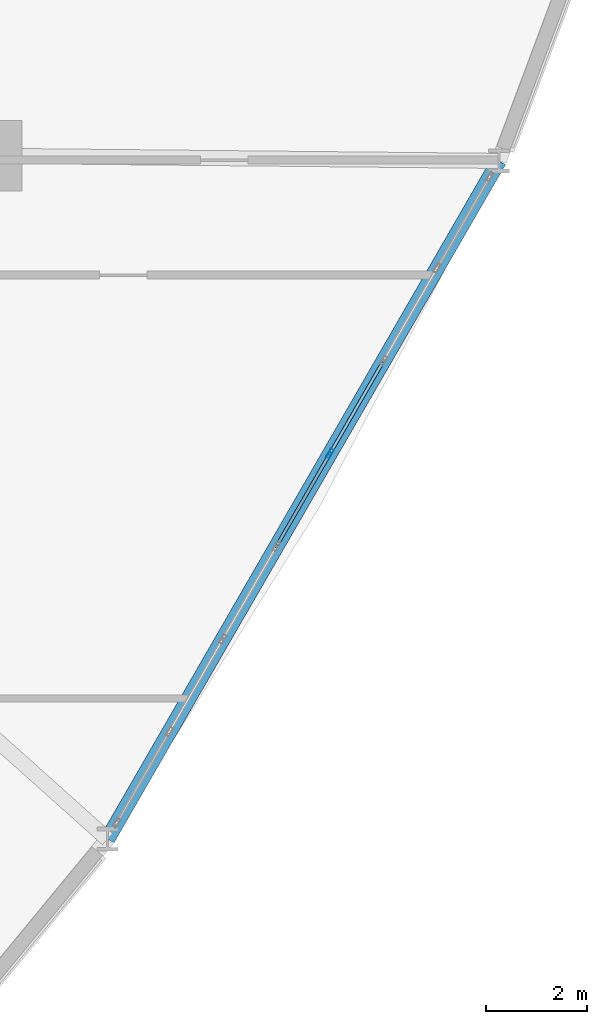
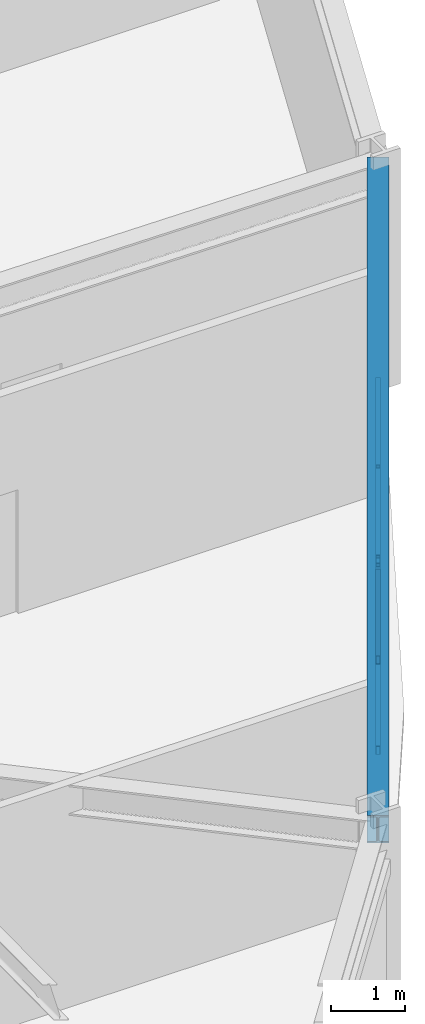
# One storey, part 8 of 22: 6 members, 1 beam, 1 element without a shape of its own.
"""IFC4 building model written with IfcOpenShell, lengths in metres."""

from ifc_helpers import new_model, si_unit, derived_unit, direction, frame, origin, origin_2d, place, context, subcontext, project, spatial, hollow_rectangle, i_section, extrude, source, transform, mapped, material, layer, layer_set, material_profile, profile_set, type_object, element, aggregate, save


model = new_model("IFC4")

# Units and contexts
model_context = context("Model", 3, precision=1e-05, world=origin(), true_north=direction((0.0, 1.0)))
body_context = subcontext(model_context, "Body", "Model", "MODEL_VIEW")
ifc_project = project(units=[si_unit("LENGTHUNIT", "METRE"), si_unit("AREAUNIT", "SQUARE_METRE"), si_unit("VOLUMEUNIT", "CUBIC_METRE"), si_unit("PLANEANGLEUNIT", "RADIAN"), si_unit("MASSUNIT", "GRAM", prefix="KILO"), derived_unit("THERMALTRANSMITTANCEUNIT", [(si_unit("POWERUNIT", "WATT"), 1), (si_unit("LENGTHUNIT", "METRE"), -2), (si_unit("THERMODYNAMICTEMPERATUREUNIT", "KELVIN"), -1)])], contexts=[model_context])

# Site, building, storey
site_placement = place(None, origin())
site = spatial("IfcSite", under=ifc_project, at=site_placement, CompositionType="ELEMENT")
building_placement = place(site_placement, origin())
building = spatial("IfcBuilding", under=site, at=building_placement, Name="Korsvarv Bourse and Concert Hall", CompositionType="ELEMENT")
storey_placement = place(building_placement, frame((0.0, 0.0, 47.39990234375)))
storey = spatial("IfcBuildingStorey", under=building, at=storey_placement, Name="L11", CompositionType="ELEMENT", Elevation=47.39990234375)

# Beam
ifc_material_1 = material(Name="Steel S355", Category="steel")
ifc_material_profile_1 = material_profile(ifc_material_1, i_section(OverallWidth=0.300048828125, OverallDepth=0.449951171875, WebThickness=0.013916015625, FlangeThickness=0.02587890625, FilletRadius=0.02099609375, at=origin_2d()), Name="HEB 450")
ifc_profile_set_1 = profile_set([ifc_material_profile_1], Name="Steel S355")
beam_type = type_object("IfcBeamType", Name="BM-HEB450", PredefinedType="SPANDREL", material=ifc_profile_set_1)
shared_shape_1 = source(origin(), body_context, "Body", "SweptSolid", [
    extrude(i_section(OverallWidth=0.300048828125, OverallDepth=0.449951171875, WebThickness=0.013916015625, FlangeThickness=0.02587890625, FilletRadius=0.02099609375, at=origin_2d()), origin(), (0.0, 0.0, 1.0), 15.569580078125),
])
beam_placement = place(storey_placement, frame((50.198486328125, 18.8134765625, 3.455078125), z_axis=(0.499994378262, 0.866028649472, 0.0), x_axis=(-0.866028649472, 0.499994378262, 0.0)))
element("IfcBeam", 1, at=beam_placement, inside=storey, type_object=beam_type, Name="L11 beam B-08", PredefinedType="SPANDREL", context=body_context, shape_type="MappedRepresentation", body=[
    mapped(shared_shape_1, transform((0.0, 0.0, 0.0), scale=1.0)),
])

# Curtain wall, members
ifc_material_2 = material(Name="Anodised aluminium and triple low-E glazing", Category="glass")
ifc_layer = layer(ifc_material_2, 0.219970703125)
ifc_layer_set = layer_set([ifc_layer], Name="Anodised aluminium and triple low-E glazing")
curtain_wall_type = type_object("IfcCurtainWallType", Name="CW-SYS-1", PredefinedType="NOTDEFINED", material=ifc_layer_set)
curtain_wall_placement = place(storey_placement, origin())
curtain_wall = element("IfcCurtainWall", 2, at=curtain_wall_placement, inside=storey, type_object=curtain_wall_type, Name="L11 CW1 curtain wall CW-L11-F11", PredefinedType="NOTDEFINED")
ifc_material_3 = material(Name="Extruded aluminium EN AW-6063 T66", Category="aluminium")
ifc_material_profile_2 = material_profile(ifc_material_3, hollow_rectangle(XDim=0.070068359375, YDim=0.18994140625, WallThickness=0.0048828125, at=origin_2d()), Name="ALU-M 70x190")
ifc_profile_set_2 = profile_set([ifc_material_profile_2], Name="Extruded aluminium EN AW-6063 T66")
member_type_1 = type_object("IfcMemberType", Name="CWM-190", PredefinedType="MULLION", material=ifc_profile_set_2)
shared_shape_2 = source(origin(), body_context, "Body", "SweptSolid", [
    extrude(hollow_rectangle(XDim=0.070068359375, YDim=0.18994140625, WallThickness=0.0048828125, at=origin_2d()), origin(), (0.0, 0.0, 1.0), 3.22998046875),
])
member_1_placement = place(storey_placement, frame((54.623291015625, 26.477294921875, 0.0), z_axis=(0.0, 0.0, 1.0), x_axis=(-0.866025499647, 0.499999833962, 0.0)))
member_1 = element("IfcMember", 3, at=member_1_placement, type_object=member_type_1, Name="CW1 mullion 5", PredefinedType="MULLION", context=body_context, shape_type="MappedRepresentation", body=[
    mapped(shared_shape_2, transform((0.0, 0.0, 0.0), scale=1.0)),
])
ifc_material_profile_3 = material_profile(ifc_material_3, hollow_rectangle(XDim=0.06494140625, YDim=0.139892578125, WallThickness=0.00390625, at=origin_2d()), Name="ALU-T 65x140")
ifc_profile_set_3 = profile_set([ifc_material_profile_3], Name="Extruded aluminium EN AW-6063 T66")
member_type_2 = type_object("IfcMemberType", Name="CWT-140", PredefinedType="USERDEFINED", material=ifc_profile_set_3)
shared_shape_3 = source(origin(), body_context, "Body", "SweptSolid", [
    extrude(hollow_rectangle(XDim=0.06494140625, YDim=0.139892578125, WallThickness=0.00390625, at=origin_2d()), origin(), (0.0, 0.0, 1.0), 2.0595703125),
])
member_2_placement = place(storey_placement, frame((54.640625, 26.507568359375, 0.03271484375), z_axis=(0.499989236795, 0.866031617834, 0.0), x_axis=(-0.866031617834, 0.499989236795, 0.0)))
member_2 = element("IfcMember", 4, at=member_2_placement, type_object=member_type_2, Name="CW1 transom 5.1", ObjectType="TRANSOM", PredefinedType="USERDEFINED", context=body_context, shape_type="MappedRepresentation", body=[
    mapped(shared_shape_3, transform((0.0, 0.0, 0.0), scale=1.0)),
])
member_3_placement = place(storey_placement, frame((54.640625, 26.507568359375, 3.197509765625), z_axis=(0.499989236795, 0.866031617834, 0.0), x_axis=(-0.866031617834, 0.499989236795, 0.0)))
member_3 = element("IfcMember", 5, at=member_3_placement, type_object=member_type_2, Name="CW1 transom 5.2", ObjectType="TRANSOM", PredefinedType="USERDEFINED", context=body_context, shape_type="MappedRepresentation", body=[
    mapped(shared_shape_3, transform((0.0, 0.0, 0.0), scale=1.0)),
])
shared_shape_4 = source(origin(), body_context, "Body", "SweptSolid", [
    extrude(hollow_rectangle(XDim=0.06494140625, YDim=0.139892578125, WallThickness=0.00390625, at=origin_2d()), origin(), (0.0, 0.0, 1.0), 2.059326171875),
])
member_4_placement = place(storey_placement, frame((53.575927734375, 24.66357421875, 0.03271484375), z_axis=(0.500040568494, 0.866001980287, 0.0), x_axis=(-0.866001980287, 0.500040568494, 0.0)))
member_4 = element("IfcMember", 6, at=member_4_placement, type_object=member_type_2, Name="CW1 transom 4.1", ObjectType="TRANSOM", PredefinedType="USERDEFINED", context=body_context, shape_type="MappedRepresentation", body=[
    mapped(shared_shape_4, transform((0.0, 0.0, 0.0), scale=1.0)),
])
member_5_placement = place(storey_placement, frame((53.575927734375, 24.66357421875, 3.197509765625), z_axis=(0.500040568494, 0.866001980287, 0.0), x_axis=(-0.866001980287, 0.500040568494, 0.0)))
member_5 = element("IfcMember", 7, at=member_5_placement, type_object=member_type_2, Name="CW1 transom 4.2", ObjectType="TRANSOM", PredefinedType="USERDEFINED", context=body_context, shape_type="MappedRepresentation", body=[
    mapped(shared_shape_4, transform((0.0, 0.0, 0.0), scale=1.0)),
])
ifc_material_profile_4 = material_profile(ifc_material_3, hollow_rectangle(XDim=0.06494140625, YDim=0.1650390625, WallThickness=0.0048828125, at=origin_2d()), Name="ALU-M 65x165")
ifc_profile_set_4 = profile_set([ifc_material_profile_4], Name="Extruded aluminium EN AW-6063 T66")
member_type_3 = type_object("IfcMemberType", Name="CWM-165", PredefinedType="MULLION", material=ifc_profile_set_4)
shared_shape_5 = source(origin(), body_context, "Body", "SweptSolid", [
    extrude(hollow_rectangle(XDim=0.06494140625, YDim=0.1650390625, WallThickness=0.0048828125, at=origin_2d()), origin(), (0.0, 0.0, 1.0), 3.7216796875),
])
member_6_placement = place(storey_placement, frame((54.605712890625, 26.447021484375, 0.065185546875), z_axis=(-0.276705684302, -0.479216458944, 0.832937902699), x_axis=(0.866001980287, -0.500040568494, 0.0)))
member_6 = element("IfcMember", 8, at=member_6_placement, type_object=member_type_3, Name="CW1 diagonal mullion 4", PredefinedType="MULLION", context=body_context, shape_type="MappedRepresentation", body=[
    mapped(shared_shape_5, transform((0.0, 0.0, 0.0), scale=1.0)),
])
aggregate(curtain_wall, [member_1, member_4, member_5, member_6, member_2, member_3])

save(model, "model.ifc")
